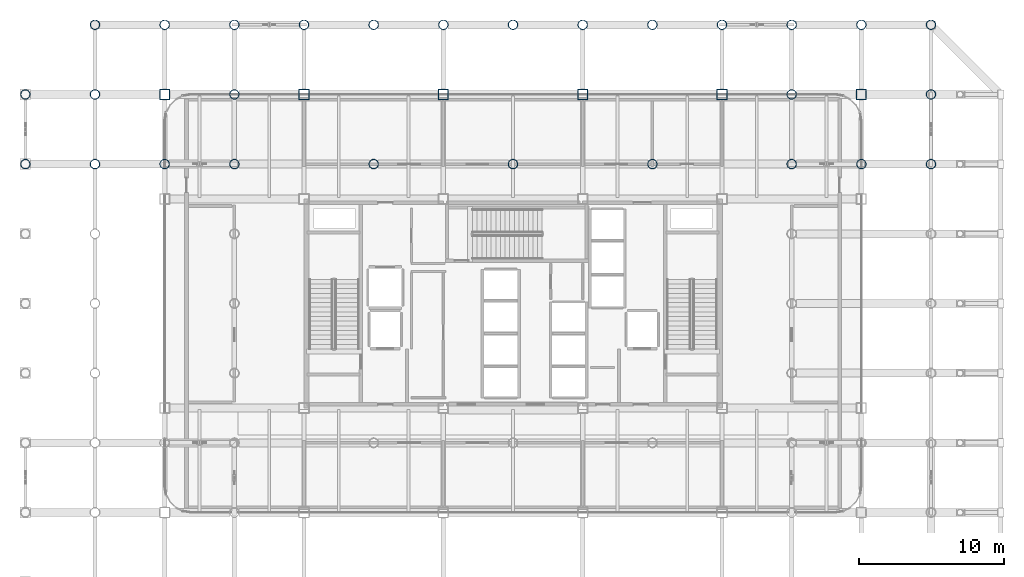
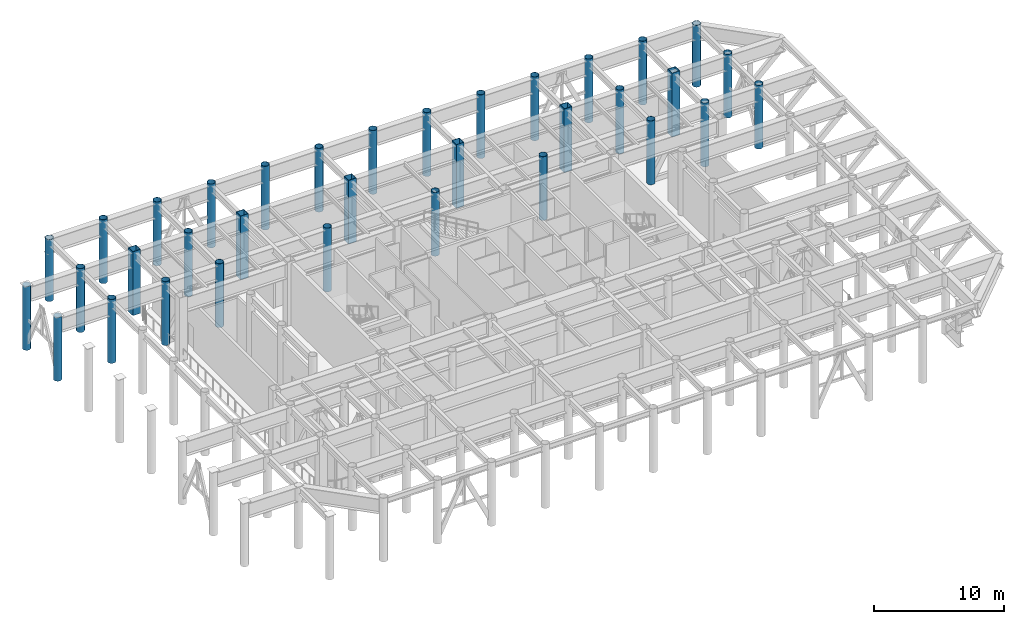
# One storey, part 3 of 20: 34 columns.
"""IFC4 building model written with IfcOpenShell, lengths in metres."""

from ifc_helpers import new_model, si_unit, direction, frame, origin, origin_2d, place, context, subcontext, project, spatial, hollow_rectangle, hollow_circle, extrude, material, material_profile, profile_set, type_object, element, save


model = new_model("IFC4")

# Units and contexts
model_context = context("Model", 3, precision=1e-05, world=origin(), true_north=direction((0.0, 1.0)))
body_context = subcontext(model_context, "Body", "Model", "MODEL_VIEW")
ifc_project = project(units=[si_unit("LENGTHUNIT", "METRE"), si_unit("AREAUNIT", "SQUARE_METRE"), si_unit("VOLUMEUNIT", "CUBIC_METRE"), si_unit("PLANEANGLEUNIT", "RADIAN"), si_unit("MASSUNIT", "GRAM", prefix="KILO")], contexts=[model_context])

# Site, building, storey
site_placement = place(None, origin())
site = spatial("IfcSite", under=ifc_project, at=site_placement, CompositionType="ELEMENT")
building_placement = place(site_placement, origin())
building = spatial("IfcBuilding", under=site, at=building_placement, Name="Kallvorn Hotel Tower", CompositionType="ELEMENT")
storey_placement = place(building_placement, frame((0.0, 0.0, 185.5)))
storey = spatial("IfcBuildingStorey", under=building, at=storey_placement, Name="L46", CompositionType="ELEMENT", Elevation=185.5)

# Columns
ifc_material_1 = material(Name="Structural steel S355J2H", Category="steel")
ifc_material_profile_1 = material_profile(ifc_material_1, hollow_circle(Radius=0.330078125, WallThickness=0.028076171875, at=origin_2d()), Name="CHS 660x28")
ifc_profile_set_1 = profile_set([ifc_material_profile_1], Name="Structural steel S355J2H")
column_type_1 = type_object("IfcColumnType", Name="COL_CHS_660", PredefinedType="COLUMN", material=ifc_profile_set_1)
for number, where, z_axis, x_axis, name in (
    (1, (-33.60009765625, 9.60009765625, 0.0), (0.0, 0.0, 1.0), (1.0, 0.0, 0.0), "L46 Exoskeleton Column EC07"),
    (2, (-33.60009765625, 14.39990234375, 0.0), (0.0, 0.0, 1.0), (1.0, 0.0, 0.0), "L46 Exoskeleton Column EC08"),
    (3, (-28.800048828125, 9.60009765625, 0.0), (0.0, 0.0, 1.0), (1.0, 0.0, 0.0), "L46 Exoskeleton Column EC16"),
    (4, (-28.800048828125, 14.39990234375, 0.0), (0.0, 0.0, 1.0), (1.0, 0.0, 0.0), "L46 Exoskeleton Column EC17"),
):
    element("IfcColumn", number, at=place(storey_placement, frame(where, z_axis=z_axis, x_axis=x_axis)), inside=storey, type_object=column_type_1, Name=name, PredefinedType="COLUMN", context=body_context, shape_type="SweptSolid", body=[
        extrude(hollow_circle(Radius=0.330078125, WallThickness=0.028076171875, at=origin_2d()), origin(), (0.0, 0.0, 1.0), 6.0),
    ])
column_1_placement = place(storey_placement, frame((-28.800048828125, 19.199951171875, 0.0), z_axis=(0.0, 0.0, 1.0), x_axis=(1.0, 0.0, 0.0)))
element("IfcColumn", 5, at=column_1_placement, inside=storey, type_object=column_type_1, Name="L46 Exoskeleton Column EC18", PredefinedType="COLUMN", context=body_context, shape_type="SweptSolid", body=[
    extrude(hollow_circle(Radius=0.330078125, WallThickness=0.028076171875, at=origin_2d()), origin(), (0.0, 0.0, 1.0), 5.820068359375),
])
for number, where, z_axis, x_axis, name in (
    (6, (-24.0, 9.60009765625, 0.0), (0.0, 0.0, 1.0), (1.0, 0.0, 0.0), "L46 Exoskeleton Column EC22"),
    (7, (-24.0, 19.199951171875, 0.0), (0.0, 0.0, 1.0), (1.0, 0.0, 0.0), "L46 Exoskeleton Column EC23"),
    (8, (-19.199951171875, 9.60009765625, 0.0), (0.0, 0.0, 1.0), (1.0, 0.0, 0.0), "L46 Exoskeleton Column EC31"),
    (9, (-19.199951171875, 14.39990234375, 0.0), (0.0, 0.0, 1.0), (1.0, 0.0, 0.0), "L46 Exoskeleton Column EC32"),
    (10, (-19.199951171875, 19.199951171875, 0.0), (0.0, 0.0, 1.0), (1.0, 0.0, 0.0), "L46 Exoskeleton Column EC33"),
    (11, (-14.39990234375, 19.199951171875, 0.0), (0.0, 0.0, 1.0), (1.0, 0.0, 0.0), "L46 Exoskeleton Column EC36"),
    (12, (-9.60009765625, 9.60009765625, 0.0), (0.0, 0.0, 1.0), (1.0, 0.0, 0.0), "L46 Exoskeleton Column EC40"),
    (13, (-9.60009765625, 19.199951171875, 0.0), (0.0, 0.0, 1.0), (1.0, 0.0, 0.0), "L46 Exoskeleton Column EC41"),
    (14, (-4.800048828125, 19.199951171875, 0.0), (0.0, 0.0, 1.0), (1.0, 0.0, 0.0), "L46 Exoskeleton Column EC44"),
    (15, (0.0, 9.60009765625, 0.0), (0.0, 0.0, 1.0), (1.0, 0.0, 0.0), "L46 Exoskeleton Column EC48"),
    (16, (0.0, 19.199951171875, 0.0), (0.0, 0.0, 1.0), (1.0, 0.0, 0.0), "L46 Exoskeleton Column EC49"),
    (17, (4.800048828125, 19.199951171875, 0.0), (0.0, 0.0, 1.0), (1.0, 0.0, 0.0), "L46 Exoskeleton Column EC52"),
    (18, (9.60009765625, 9.60009765625, 0.0), (0.0, 0.0, 1.0), (1.0, 0.0, 0.0), "L46 Exoskeleton Column EC56"),
    (19, (9.60009765625, 19.199951171875, 0.0), (0.0, 0.0, 1.0), (1.0, 0.0, 0.0), "L46 Exoskeleton Column EC57"),
    (20, (14.39990234375, 19.199951171875, 0.0), (0.0, 0.0, 1.0), (1.0, 0.0, 0.0), "L46 Exoskeleton Column EC60"),
    (21, (19.199951171875, 9.60009765625, 0.0), (0.0, 0.0, 1.0), (1.0, 0.0, 0.0), "L46 Exoskeleton Column EC68"),
    (22, (19.199951171875, 14.39990234375, 0.0), (0.0, 0.0, 1.0), (1.0, 0.0, 0.0), "L46 Exoskeleton Column EC69"),
    (23, (19.199951171875, 19.199951171875, 0.0), (0.0, 0.0, 1.0), (1.0, 0.0, 0.0), "L46 Exoskeleton Column EC70"),
    (24, (24.0, 9.60009765625, 0.0), (0.0, 0.0, 1.0), (1.0, 0.0, 0.0), "L46 Exoskeleton Column EC74"),
    (25, (24.0, 19.199951171875, 0.0), (0.0, 0.0, 1.0), (1.0, 0.0, 0.0), "L46 Exoskeleton Column EC75"),
    (26, (28.800048828125, 9.60009765625, 0.0), (0.0, 0.0, 1.0), (1.0, 0.0, 0.0), "L46 Exoskeleton Column EC82"),
    (27, (28.800048828125, 14.39990234375, 0.0), (0.0, 0.0, 1.0), (1.0, 0.0, 0.0), "L46 Exoskeleton Column EC83"),
):
    element("IfcColumn", number, at=place(storey_placement, frame(where, z_axis=z_axis, x_axis=x_axis)), inside=storey, type_object=column_type_1, Name=name, PredefinedType="COLUMN", context=body_context, shape_type="SweptSolid", body=[
        extrude(hollow_circle(Radius=0.330078125, WallThickness=0.028076171875, at=origin_2d()), origin(), (0.0, 0.0, 1.0), 6.0),
    ])
column_2_placement = place(storey_placement, frame((28.800048828125, 19.199951171875, 0.0), z_axis=(0.0, 0.0, 1.0), x_axis=(1.0, 0.0, 0.0)))
element("IfcColumn", 28, at=column_2_placement, inside=storey, type_object=column_type_1, Name="L46 Exoskeleton Column EC84", PredefinedType="COLUMN", context=body_context, shape_type="SweptSolid", body=[
    extrude(hollow_circle(Radius=0.330078125, WallThickness=0.028076171875, at=origin_2d()), origin(), (0.0, 0.0, 1.0), 5.820068359375),
])
ifc_material_2 = material(Name="Structural steel S355J2H", Category="steel")
ifc_material_profile_2 = material_profile(ifc_material_2, hollow_rectangle(XDim=0.699951171875, YDim=0.699951171875, WallThickness=0.031982421875, at=origin_2d()), Name="RHS 700x700x32")
ifc_profile_set_2 = profile_set([ifc_material_profile_2], Name="Structural steel S355J2H")
column_type_2 = type_object("IfcColumnType", Name="COL_RHS_700", PredefinedType="COLUMN", material=ifc_profile_set_2)
for number, where, z_axis, x_axis, name in (
    (29, (-24.0, 14.39990234375, 0.0), (0.0, 0.0, 1.0), (1.0, 0.0, 0.0), "L46 Inner Column IC04"),
    (30, (-14.39990234375, 14.39990234375, 0.0), (0.0, 0.0, 1.0), (1.0, 0.0, 0.0), "L46 Inner Column IC08"),
    (31, (-4.800048828125, 14.39990234375, 0.0), (0.0, 0.0, 1.0), (1.0, 0.0, 0.0), "L46 Inner Column IC12"),
    (32, (4.800048828125, 14.39990234375, 0.0), (0.0, 0.0, 1.0), (1.0, 0.0, 0.0), "L46 Inner Column IC16"),
    (33, (14.39990234375, 14.39990234375, 0.0), (0.0, 0.0, 1.0), (1.0, 0.0, 0.0), "L46 Inner Column IC20"),
    (34, (24.0, 14.39990234375, 0.0), (0.0, 0.0, 1.0), (1.0, 0.0, 0.0), "L46 Inner Column IC24"),
):
    element("IfcColumn", number, at=place(storey_placement, frame(where, z_axis=z_axis, x_axis=x_axis)), inside=storey, type_object=column_type_2, Name=name, PredefinedType="COLUMN", context=body_context, shape_type="SweptSolid", body=[
        extrude(hollow_rectangle(XDim=0.699951171875, YDim=0.699951171875, WallThickness=0.031982421875, at=origin_2d()), origin(), (0.0, 0.0, 1.0), 6.0),
    ])

save(model, "model.ifc")
